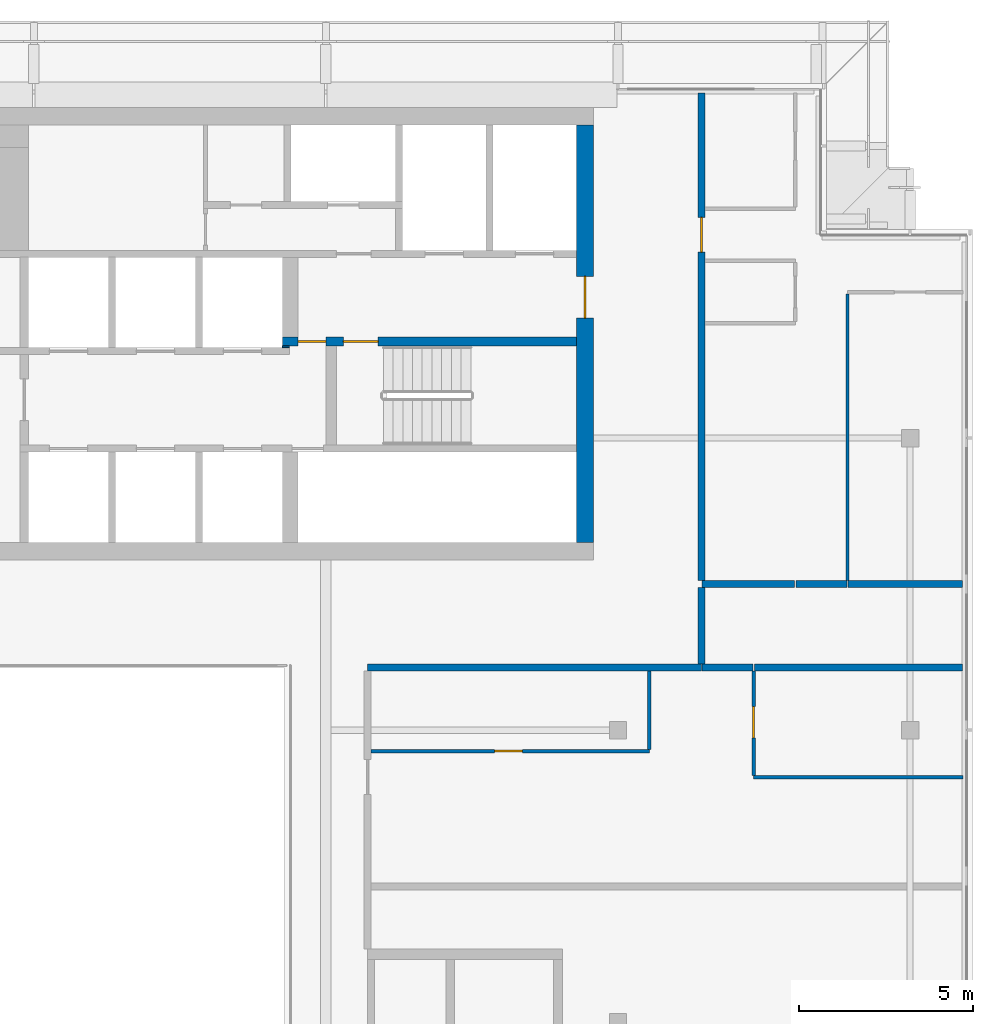
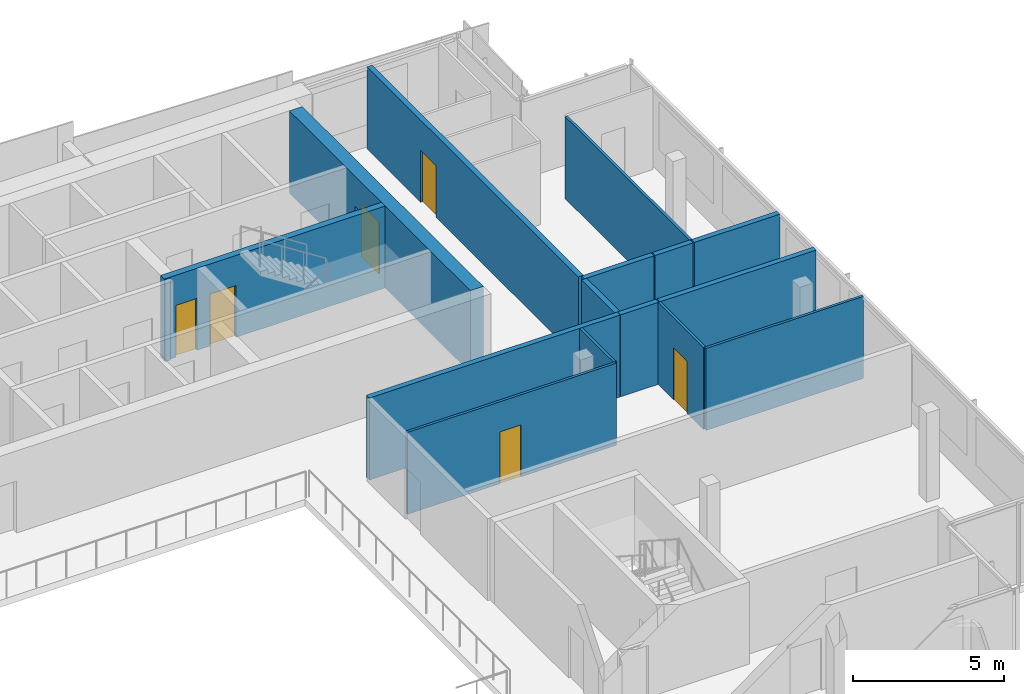
# One storey, part 14 of 22: 16 walls, 6 doors, 6 openings.
"""IFC4 building model written with IfcOpenShell, lengths in metres."""

from ifc_helpers import new_model, si_unit, direction, frame, frame_2d, origin, place, context, subcontext, project, spatial, rectangle, extrude, material, layer, layer_set, type_object, element, fill, save


model = new_model("IFC4")

# Units and contexts
model_context = context("Model", 3, precision=1e-05, world=origin(), true_north=direction((0.0, 1.0)))
body_context = subcontext(model_context, "Body", "Model", "MODEL_VIEW")
ifc_project = project(units=[si_unit("LENGTHUNIT", "METRE"), si_unit("AREAUNIT", "SQUARE_METRE"), si_unit("VOLUMEUNIT", "CUBIC_METRE"), si_unit("PLANEANGLEUNIT", "RADIAN"), si_unit("MASSUNIT", "GRAM", prefix="KILO")], contexts=[model_context])

# Site, building, storey
site_placement = place(None, origin())
site = spatial("IfcSite", under=ifc_project, at=site_placement, CompositionType="ELEMENT")
building_placement = place(site_placement, origin())
building = spatial("IfcBuilding", under=site, at=building_placement, Name="Saffron Gate Tower", CompositionType="ELEMENT")
storey_placement = place(building_placement, frame((0.0, 0.0, 295.949951171875)))
storey = spatial("IfcBuildingStorey", under=building, at=storey_placement, Name="L72", CompositionType="ELEMENT", Elevation=295.949951171875)

# Wall, opening, door
ifc_material_1 = material(Name="Concrete C50", Category="concrete")
ifc_layer_1 = layer(ifc_material_1, 0.5)
ifc_layer_set_1 = layer_set([ifc_layer_1], Name="CW22 RC core wall 500 C50")
wall_type_1 = type_object("IfcWallType", Name="CW22 RC core wall 500 C50", PredefinedType="SOLIDWALL", material=ifc_layer_set_1)
wall_1_placement = place(storey_placement, frame((107.64990234375, 62.39990234375, 0.0), z_axis=(0.0, 0.0, 1.0), x_axis=(0.0, 1.0, 0.0)))
wall_1 = element("IfcWall", 1, at=wall_1_placement, inside=storey, type_object=wall_type_1, Name="Wall CW22-L72-4", PredefinedType="SOLIDWALL", context=body_context, shape_type="SweptSolid", body=[
    extrude(rectangle(XDim=12.0, YDim=0.5, at=frame_2d((6.0, 0.0))), origin(), (0.0, 0.0, 1.0), 3.320068359375),
])
opening_1_placement = place(wall_1_placement, frame((6.449951171875, 0.0, 0.0)))
opening_1 = element("IfcOpeningElement", 2, at=opening_1_placement, cuts=wall_1, Name="Opening CR-08", PredefinedType="OPENING", context=body_context, shape_type="SweptSolid", body=[
    extrude(rectangle(XDim=1.199951171875, YDim=2.10009765625, at=frame_2d((0.60009765625, 1.050048828125))), frame((0.0, 0.260009765625, 0.0), z_axis=(0.0, -1.0, 0.0), x_axis=(1.0, 0.0, 0.0)), (0.0, 0.0, 1.0), 0.52001953125),
])
ifc_material_2 = material(Name="Steel fire door set", Category="steel")
door_type_1 = type_object("IfcDoorType", Name="CD7 Core entrance door 1200x2100 EI 120", OperationType="NOTDEFINED", PredefinedType="DOOR", material=ifc_material_2)
door_1_placement = place(opening_1_placement, origin())
door_1 = element("IfcDoor", 3, at=door_1_placement, inside=storey, type_object=door_type_1, Name="DOOR CR-08", OperationType="SINGLE_SWING_RIGHT", OverallHeight=2.10009765625, OverallWidth=1.199951171875, PredefinedType="DOOR", context=body_context, shape_type="SweptSolid", body=[
    extrude(rectangle(XDim=1.199951171875, YDim=2.10009765625, at=frame_2d((0.60009765625, 1.050048828125))), frame((0.0, 0.02490234375, 0.0), z_axis=(0.0, -1.0, 0.0), x_axis=(1.0, 0.0, 0.0)), (0.0, 0.0, 1.0), 0.050048828125),
])
fill(opening_1, door_1)

# Wall, openings, doors
ifc_layer_2 = layer(ifc_material_1, 0.25)
ifc_layer_set_2 = layer_set([ifc_layer_2], Name="CW23 RC core wall 250 C50")
wall_type_2 = type_object("IfcWallType", Name="CW23 RC core wall 250 C50", PredefinedType="SOLIDWALL", material=ifc_layer_set_2)
wall_2_placement = place(storey_placement, frame((98.949951171875, 68.175048828125, 0.0), z_axis=(0.0, 0.0, 1.0), x_axis=(1.0, 0.0, 0.0)))
wall_2 = element("IfcWall", 4, at=wall_2_placement, inside=storey, type_object=wall_type_2, Name="Wall CW23-L72-29", PredefinedType="SOLIDWALL", context=body_context, shape_type="SweptSolid", body=[
    extrude(rectangle(XDim=8.449951171875, YDim=0.25, at=frame_2d((4.22509765625, 0.0))), origin(), (0.0, 0.0, 1.0), 3.320068359375),
])
opening_2_placement = place(wall_2_placement, frame((0.449951171875, 0.0, 0.0)))
opening_2 = element("IfcOpeningElement", 5, at=opening_2_placement, cuts=wall_2, Name="Opening CR-05", PredefinedType="OPENING", context=body_context, shape_type="SweptSolid", body=[
    extrude(rectangle(XDim=0.800048828125, YDim=2.10009765625, at=frame_2d((0.39990234375, 1.050048828125))), frame((0.0, 0.135009765625, 0.0), z_axis=(0.0, -1.0, 0.0), x_axis=(1.0, 0.0, 0.0)), (0.0, 0.0, 1.0), 0.27001953125),
])
opening_3_placement = place(wall_2_placement, frame((1.75, 0.0, 0.0)))
opening_3 = element("IfcOpeningElement", 6, at=opening_3_placement, cuts=wall_2, Name="Opening CR-16", PredefinedType="OPENING", context=body_context, shape_type="SweptSolid", body=[
    extrude(rectangle(XDim=1.0, YDim=2.10009765625, at=frame_2d((0.5, 1.050048828125))), frame((0.0, 0.135009765625, 0.0), z_axis=(0.0, -1.0, 0.0), x_axis=(1.0, 0.0, 0.0)), (0.0, 0.0, 1.0), 0.27001953125),
])
door_type_2 = type_object("IfcDoorType", Name="CD5 Stair door 1000x2100 EI 120", OperationType="NOTDEFINED", PredefinedType="DOOR", material=ifc_material_2)
door_2_placement = place(opening_3_placement, origin())
door_2 = element("IfcDoor", 7, at=door_2_placement, inside=storey, type_object=door_type_2, Name="DOOR CR-16", OperationType="SINGLE_SWING_RIGHT", OverallHeight=2.10009765625, OverallWidth=1.0, PredefinedType="DOOR", context=body_context, shape_type="SweptSolid", body=[
    extrude(rectangle(XDim=1.0, YDim=2.10009765625, at=frame_2d((0.5, 1.050048828125))), frame((0.0, 0.02490234375, 0.0), z_axis=(0.0, -1.0, 0.0), x_axis=(1.0, 0.0, 0.0)), (0.0, 0.0, 1.0), 0.050048828125),
])
fill(opening_3, door_2)
door_type_3 = type_object("IfcDoorType", Name="CD6 Lobby door 800x2100 EI 120", OperationType="NOTDEFINED", PredefinedType="DOOR", material=ifc_material_2)
door_3_placement = place(opening_2_placement, origin())
door_3 = element("IfcDoor", 8, at=door_3_placement, inside=storey, type_object=door_type_3, Name="DOOR CR-05", OperationType="SINGLE_SWING_LEFT", OverallHeight=2.10009765625, OverallWidth=0.800048828125, PredefinedType="DOOR", context=body_context, shape_type="SweptSolid", body=[
    extrude(rectangle(XDim=0.800048828125, YDim=2.10009765625, at=frame_2d((0.39990234375, 1.050048828125))), frame((0.0, 0.02490234375, 0.0), z_axis=(0.0, -1.0, 0.0), x_axis=(1.0, 0.0, 0.0)), (0.0, 0.0, 1.0), 0.050048828125),
])
fill(opening_2, door_3)

# Walls
ifc_layer_3 = layer(ifc_material_1, 0.050048828125)
ifc_layer_set_3 = layer_set([ifc_layer_3], Name="CW27 RC core wall 50 C50")
wall_type_3 = type_object("IfcWallType", Name="CW27 RC core wall 50 C50", PredefinedType="SOLIDWALL", material=ifc_layer_set_3)
wall_3_placement = place(storey_placement, frame((98.949951171875, 68.02490234375, 0.0), z_axis=(0.0, 0.0, 1.0), x_axis=(1.0, 0.0, 0.0)))
element("IfcWall", 9, at=wall_3_placement, inside=storey, type_object=wall_type_3, Name="Wall CW27-L72-27", PredefinedType="SOLIDWALL", context=body_context, shape_type="SweptSolid", body=[
    extrude(rectangle(XDim=0.199951171875, YDim=0.050048828125, at=frame_2d((0.10009765625, 0.0))), origin(), (0.0, 0.0, 1.0), 3.320068359375),
])
ifc_material_3 = material(Name="Plasterboard on steel studs", Category="steel")
ifc_layer_4 = layer(ifc_material_3, 0.10009765625)
ifc_layer_set_4 = layer_set([ifc_layer_4], Name="PW1 Partition 100")
wall_type_4 = type_object("IfcWallType", Name="PW1 Partition 100", PredefinedType="PARTITIONING", material=ifc_layer_set_4)
wall_4_placement = place(storey_placement, frame((112.5, 55.64990234375, 0.0), z_axis=(0.0, 0.0, 1.0), x_axis=(1.0, 0.0, 0.0)))
element("IfcWall", 10, at=wall_4_placement, inside=storey, type_object=wall_type_4, Name="Partition E5-10", PredefinedType="PARTITIONING", context=body_context, shape_type="SweptSolid", body=[
    extrude(rectangle(XDim=6.02001953125, YDim=0.10009765625, at=frame_2d((3.010009765625, 0.0))), origin(), (0.0, 0.0, 1.0), 3.320068359375),
])

# Wall, opening, door
wall_5_placement = place(storey_placement, frame((101.5, 56.39990234375, 0.0), z_axis=(0.0, 0.0, 1.0), x_axis=(1.0, 0.0, 0.0)))
wall_5 = element("IfcWall", 11, at=wall_5_placement, inside=storey, type_object=wall_type_4, Name="Partition E5-11", PredefinedType="PARTITIONING", context=body_context, shape_type="SweptSolid", body=[
    extrude(rectangle(XDim=8.0, YDim=0.10009765625, at=frame_2d((4.0, 0.0))), origin(), (0.0, 0.0, 1.0), 3.320068359375),
])
opening_4_placement = place(wall_5_placement, frame((3.550048828125, 0.0, 0.0)))
opening_4 = element("IfcOpeningElement", 12, at=opening_4_placement, cuts=wall_5, Name="Opening E5-12", PredefinedType="OPENING", context=body_context, shape_type="SweptSolid", body=[
    extrude(rectangle(XDim=0.800048828125, YDim=2.10009765625, at=frame_2d((0.39990234375, 1.050048828125))), frame((0.0, 0.06005859375, 0.0), z_axis=(0.0, -1.0, 0.0), x_axis=(1.0, 0.0, 0.0)), (0.0, 0.0, 1.0), 0.1201171875),
])
ifc_material_4 = material(Name="Timber door set", Category="wood")
door_type_4 = type_object("IfcDoorType", Name="RD2 Bathroom door 800x2100", OperationType="NOTDEFINED", PredefinedType="DOOR", material=ifc_material_4)
door_4_placement = place(opening_4_placement, origin())
door_4 = element("IfcDoor", 13, at=door_4_placement, inside=storey, type_object=door_type_4, Name="Door E5-12", OperationType="SINGLE_SWING_LEFT", OverallHeight=2.10009765625, OverallWidth=0.800048828125, PredefinedType="DOOR", context=body_context, shape_type="SweptSolid", body=[
    extrude(rectangle(XDim=0.800048828125, YDim=2.10009765625, at=frame_2d((0.39990234375, 1.050048828125))), frame((0.0, 0.02490234375, 0.0), z_axis=(0.0, -1.0, 0.0), x_axis=(1.0, 0.0, 0.0)), (0.0, 0.0, 1.0), 0.050048828125),
])
fill(opening_4, door_4)

# Wall
wall_6_placement = place(storey_placement, frame((109.5, 58.699951171875, 0.0), z_axis=(0.0, 0.0, 1.0), x_axis=(0.0, -1.0, 0.0)))
element("IfcWall", 14, at=wall_6_placement, inside=storey, type_object=wall_type_4, Name="Partition E5-40", PredefinedType="PARTITIONING", context=body_context, shape_type="SweptSolid", body=[
    extrude(rectangle(XDim=2.25, YDim=0.10009765625, at=frame_2d((1.125, 0.0))), origin(), (0.0, 0.0, 1.0), 3.320068359375),
])

# Wall, opening, door
wall_7_placement = place(storey_placement, frame((112.5, 58.699951171875, 0.0), z_axis=(0.0, 0.0, 1.0), x_axis=(0.0, -1.0, 0.0)))
wall_7 = element("IfcWall", 15, at=wall_7_placement, inside=storey, type_object=wall_type_4, Name="Partition E5-43", PredefinedType="PARTITIONING", context=body_context, shape_type="SweptSolid", body=[
    extrude(rectangle(XDim=3.0, YDim=0.10009765625, at=frame_2d((1.5, 0.0))), origin(), (0.0, 0.0, 1.0), 3.320068359375),
])
opening_5_placement = place(wall_7_placement, frame((1.02490234375, 0.0, 0.0)))
opening_5 = element("IfcOpeningElement", 16, at=opening_5_placement, cuts=wall_7, Name="Opening E5-7", PredefinedType="OPENING", context=body_context, shape_type="SweptSolid", body=[
    extrude(rectangle(XDim=0.89990234375, YDim=2.10009765625, at=frame_2d((0.449951171875, 1.050048828125))), frame((0.0, 0.06005859375, 0.0), z_axis=(0.0, -1.0, 0.0), x_axis=(1.0, 0.0, 0.0)), (0.0, 0.0, 1.0), 0.1201171875),
])
door_type_5 = type_object("IfcDoorType", Name="RD1 Room door 900x2100", OperationType="NOTDEFINED", PredefinedType="DOOR", material=ifc_material_4)
door_5_placement = place(opening_5_placement, origin())
door_5 = element("IfcDoor", 17, at=door_5_placement, inside=storey, type_object=door_type_5, Name="Door E5-7", OperationType="SINGLE_SWING_LEFT", OverallHeight=2.10009765625, OverallWidth=0.89990234375, PredefinedType="DOOR", context=body_context, shape_type="SweptSolid", body=[
    extrude(rectangle(XDim=0.89990234375, YDim=2.10009765625, at=frame_2d((0.449951171875, 1.050048828125))), frame((0.0, 0.02490234375, 0.0), z_axis=(0.0, -1.0, 0.0), x_axis=(1.0, 0.0, 0.0)), (0.0, 0.0, 1.0), 0.050048828125),
])
fill(opening_5, door_5)

# Walls
wall_8_placement = place(storey_placement, frame((115.199951171875, 69.550048828125, 0.0), z_axis=(0.0, 0.0, 1.0), x_axis=(0.0, -1.0, 0.0)))
element("IfcWall", 18, at=wall_8_placement, inside=storey, type_object=wall_type_4, Name="Partition E5-47", PredefinedType="PARTITIONING", context=body_context, shape_type="SweptSolid", body=[
    extrude(rectangle(XDim=8.25, YDim=0.10009765625, at=frame_2d((4.125, 0.0))), origin(), (0.0, 0.0, 1.0), 3.320068359375),
])
ifc_material_5 = material(Name="Clay brick masonry, rendered", Category="masonry")
ifc_layer_5 = layer(ifc_material_5, 0.199951171875)
ifc_layer_set_5 = layer_set([ifc_layer_5], Name="PW3 Corridor wall 200")
wall_type_5 = type_object("IfcWallType", Name="PW3 Corridor wall 200", PredefinedType="PARTITIONING", material=ifc_layer_set_5)
wall_9_placement = place(storey_placement, frame((101.39990234375, 58.800048828125, 0.0), z_axis=(0.0, 0.0, 1.0), x_axis=(1.0, 0.0, 0.0)))
element("IfcWall", 19, at=wall_9_placement, inside=storey, type_object=wall_type_5, Name="Wall E5-13", PredefinedType="PARTITIONING", context=body_context, shape_type="SweptSolid", body=[
    extrude(rectangle(XDim=9.60009765625, YDim=0.199951171875, at=frame_2d((4.800048828125, 0.0))), origin(), (0.0, 0.0, 1.0), 3.320068359375),
])

# Wall, opening, door
wall_10_placement = place(storey_placement, frame((111.0, 75.320068359375, 0.0), z_axis=(0.0, 0.0, 1.0), x_axis=(0.0, -1.0, 0.0)))
wall_10 = element("IfcWall", 20, at=wall_10_placement, inside=storey, type_object=wall_type_5, Name="Wall E5-41", PredefinedType="PARTITIONING", context=body_context, shape_type="SweptSolid", body=[
    extrude(rectangle(XDim=14.02001953125, YDim=0.199951171875, at=frame_2d((7.010009765625, 0.0))), origin(), (0.0, 0.0, 1.0), 3.320068359375),
])
opening_6_placement = place(wall_10_placement, frame((3.570068359375, 0.0, 0.0)))
opening_6 = element("IfcOpeningElement", 21, at=opening_6_placement, cuts=wall_10, Name="Opening E5-4", PredefinedType="OPENING", context=body_context, shape_type="SweptSolid", body=[
    extrude(rectangle(XDim=1.0, YDim=2.10009765625, at=frame_2d((0.5, 1.050048828125))), frame((0.0, 0.10986328125, 0.0), z_axis=(0.0, -1.0, 0.0), x_axis=(1.0, 0.0, 0.0)), (0.0, 0.0, 1.0), 0.219970703125),
])
ifc_material_6 = material(Name="Timber fire door set", Category="wood")
door_type_6 = type_object("IfcDoorType", Name="FD1 Flat entry door 1000x2100", OperationType="NOTDEFINED", PredefinedType="DOOR", material=ifc_material_6)
door_6_placement = place(opening_6_placement, origin())
door_6 = element("IfcDoor", 22, at=door_6_placement, inside=storey, type_object=door_type_6, Name="Door E5-4", OperationType="SINGLE_SWING_RIGHT", OverallHeight=2.10009765625, OverallWidth=1.0, PredefinedType="DOOR", context=body_context, shape_type="SweptSolid", body=[
    extrude(rectangle(XDim=1.0, YDim=2.10009765625, at=frame_2d((0.5, 1.050048828125))), frame((0.0, 0.02490234375, 0.0), z_axis=(0.0, -1.0, 0.0), x_axis=(1.0, 0.0, 0.0)), (0.0, 0.0, 1.0), 0.050048828125),
])
fill(opening_6, door_6)

# Walls
ifc_layer_6 = layer(ifc_material_5, 0.199951171875)
ifc_layer_set_6 = layer_set([ifc_layer_6], Name="PW5 Room wall 200")
wall_type_6 = type_object("IfcWallType", Name="PW5 Room wall 200", PredefinedType="PARTITIONING", material=ifc_layer_set_6)
wall_11_placement = place(storey_placement, frame((111.02001953125, 58.800048828125, 0.0), z_axis=(0.0, 0.0, 1.0), x_axis=(1.0, 0.0, 0.0)))
element("IfcWall", 23, at=wall_11_placement, inside=storey, type_object=wall_type_6, Name="Wall E5-15", PredefinedType="PARTITIONING", context=body_context, shape_type="SweptSolid", body=[
    extrude(rectangle(XDim=1.4599609375, YDim=0.199951171875, at=frame_2d((0.72998046875, 0.0))), origin(), (0.0, 0.0, 1.0), 3.320068359375),
])
wall_12_placement = place(storey_placement, frame((112.52001953125, 58.800048828125, 0.0), z_axis=(0.0, 0.0, 1.0), x_axis=(1.0, 0.0, 0.0)))
element("IfcWall", 24, at=wall_12_placement, inside=storey, type_object=wall_type_6, Name="Wall E5-16", PredefinedType="PARTITIONING", context=body_context, shape_type="SweptSolid", body=[
    extrude(rectangle(XDim=5.97998046875, YDim=0.199951171875, at=frame_2d((2.989990234375, 0.0))), origin(), (0.0, 0.0, 1.0), 3.320068359375),
])
wall_13_placement = place(storey_placement, frame((111.02001953125, 61.199951171875, 0.0), z_axis=(0.0, 0.0, 1.0), x_axis=(1.0, 0.0, 0.0)))
element("IfcWall", 25, at=wall_13_placement, inside=storey, type_object=wall_type_6, Name="Wall E5-20", PredefinedType="PARTITIONING", context=body_context, shape_type="SweptSolid", body=[
    extrude(rectangle(XDim=2.659912109375, YDim=0.199951171875, at=frame_2d((1.330078125, 0.0))), origin(), (0.0, 0.0, 1.0), 3.320068359375),
])
wall_14_placement = place(storey_placement, frame((113.719970703125, 61.199951171875, 0.0), z_axis=(0.0, 0.0, 1.0), x_axis=(1.0, 0.0, 0.0)))
element("IfcWall", 26, at=wall_14_placement, inside=storey, type_object=wall_type_6, Name="Wall E5-21", PredefinedType="PARTITIONING", context=body_context, shape_type="SweptSolid", body=[
    extrude(rectangle(XDim=1.4599609375, YDim=0.199951171875, at=frame_2d((0.72998046875, 0.0))), origin(), (0.0, 0.0, 1.0), 3.320068359375),
])
wall_15_placement = place(storey_placement, frame((115.219970703125, 61.199951171875, 0.0), z_axis=(0.0, 0.0, 1.0), x_axis=(1.0, 0.0, 0.0)))
element("IfcWall", 27, at=wall_15_placement, inside=storey, type_object=wall_type_6, Name="Wall E5-22", PredefinedType="PARTITIONING", context=body_context, shape_type="SweptSolid", body=[
    extrude(rectangle(XDim=3.280029296875, YDim=0.199951171875, at=frame_2d((1.64013671875, 0.0))), origin(), (0.0, 0.0, 1.0), 3.320068359375),
])
wall_16_placement = place(storey_placement, frame((111.0, 61.10009765625, 0.0), z_axis=(0.0, 0.0, 1.0), x_axis=(0.0, -1.0, 0.0)))
element("IfcWall", 28, at=wall_16_placement, inside=storey, type_object=wall_type_6, Name="Wall E5-42", PredefinedType="PARTITIONING", context=body_context, shape_type="SweptSolid", body=[
    extrude(rectangle(XDim=2.2001953125, YDim=0.199951171875, at=frame_2d((1.10009765625, 0.0))), origin(), (0.0, 0.0, 1.0), 3.320068359375),
])

save(model, "model.ifc")
